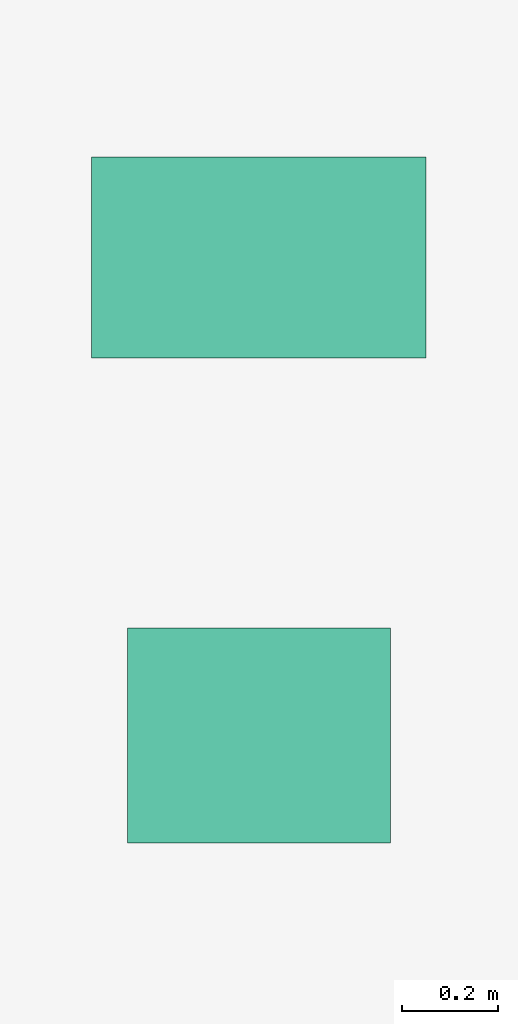
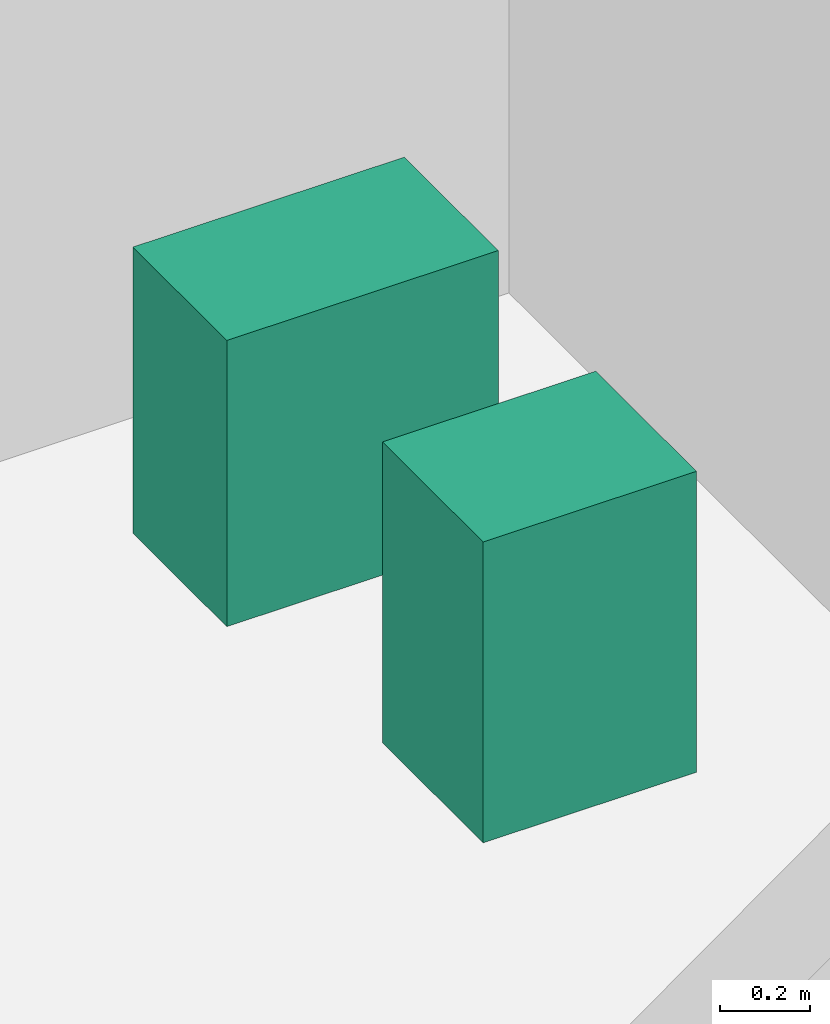
# One storey, part 25 of 25: 2 sanitary terminals.
"""IFC4 building model written with IfcOpenShell, lengths in metres."""

from ifc_helpers import new_model, si_unit, direction, frame, origin, origin_2d, place, context, subcontext, project, spatial, rectangle, extrude, source, transform, mapped, material, type_object, element, save


model = new_model("IFC4")

# Units and contexts
model_context = context("Model", 3, precision=1e-05, world=origin(), true_north=direction((0.0, 1.0)))
body_context = subcontext(model_context, "Body", "Model", "MODEL_VIEW")
ifc_project = project(units=[si_unit("LENGTHUNIT", "METRE"), si_unit("AREAUNIT", "SQUARE_METRE"), si_unit("VOLUMEUNIT", "CUBIC_METRE"), si_unit("PLANEANGLEUNIT", "RADIAN"), si_unit("MASSUNIT", "GRAM", prefix="KILO")], contexts=[model_context])

# Site, building, storey
site_placement = place(None, origin())
site = spatial("IfcSite", under=ifc_project, at=site_placement, CompositionType="ELEMENT")
building_placement = place(site_placement, origin())
building = spatial("IfcBuilding", under=site, at=building_placement, Name="Sumidabori Civic Tower", CompositionType="ELEMENT")
storey_placement = place(building_placement, frame((0.0, 0.0, 268.39990234375)))
storey = spatial("IfcBuildingStorey", under=building, at=storey_placement, Name="L70", CompositionType="ELEMENT", Elevation=268.39990234375)

# Sanitary terminals
ifc_material = material(Name="Vitreous Sanitary Porcelain")
sanitary_terminal_type_1 = type_object("IfcSanitaryTerminalType", Name="SN-WC-1", PredefinedType="TOILETPAN", material=ifc_material)
shared_shape_1 = source(origin(), body_context, "Body", "SweptSolid", [
    extrude(rectangle(XDim=0.699951171875, YDim=0.419921875, at=origin_2d()), origin(), (0.0, 0.0, 1.0), 0.780029296875),
])
sanitary_terminal_1_placement = place(storey_placement, frame((10.800048828125, 21.85009765625, 0.0), z_axis=(0.0, 0.0, 1.0), x_axis=(1.0, 0.0, 0.0)))
element("IfcSanitaryTerminal", 1, at=sanitary_terminal_1_placement, inside=storey, type_object=sanitary_terminal_type_1, Name="Accessible WC Pan L70", PredefinedType="TOILETPAN", context=body_context, shape_type="MappedRepresentation", body=[
    mapped(shared_shape_1, transform((0.0, 0.0, 0.0), x_axis=(1.0, 0.0, 0.0), y_axis=(0.0, 1.0, 0.0), z_axis=(0.0, 0.0, 1.0), scale=1.0)),
])
sanitary_terminal_type_2 = type_object("IfcSanitaryTerminalType", Name="SN-BAS-1", PredefinedType="WASHHANDBASIN", material=ifc_material)
shared_shape_2 = source(origin(), body_context, "Body", "SweptSolid", [
    extrude(rectangle(XDim=0.550048828125, YDim=0.449951171875, at=origin_2d()), origin(), (0.0, 0.0, 1.0), 0.820068359375),
])
sanitary_terminal_2_placement = place(storey_placement, frame((10.800048828125, 20.85009765625, 0.0), z_axis=(0.0, 0.0, 1.0), x_axis=(1.0, 0.0, 0.0)))
element("IfcSanitaryTerminal", 2, at=sanitary_terminal_2_placement, inside=storey, type_object=sanitary_terminal_type_2, Name="Accessible Basin L70", PredefinedType="WASHHANDBASIN", context=body_context, shape_type="MappedRepresentation", body=[
    mapped(shared_shape_2, transform((0.0, 0.0, 0.0), x_axis=(1.0, 0.0, 0.0), y_axis=(0.0, 1.0, 0.0), z_axis=(0.0, 0.0, 1.0), scale=1.0)),
])

save(model, "model.ifc")
